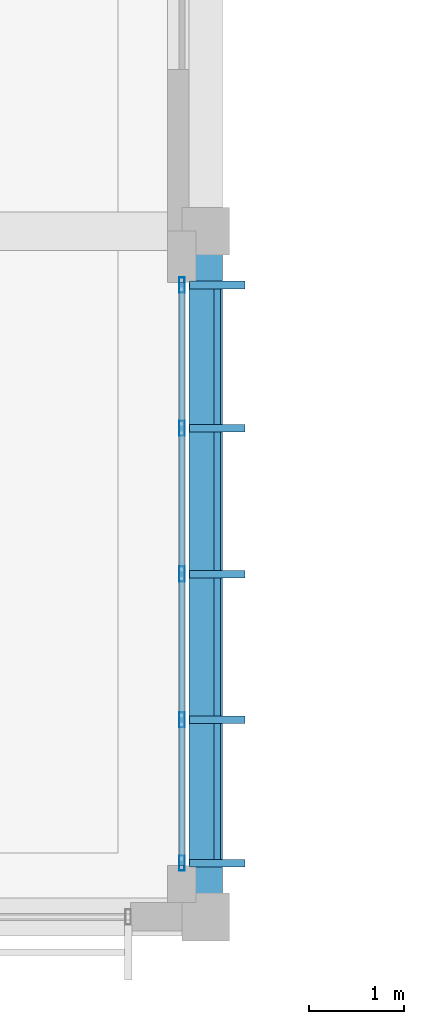
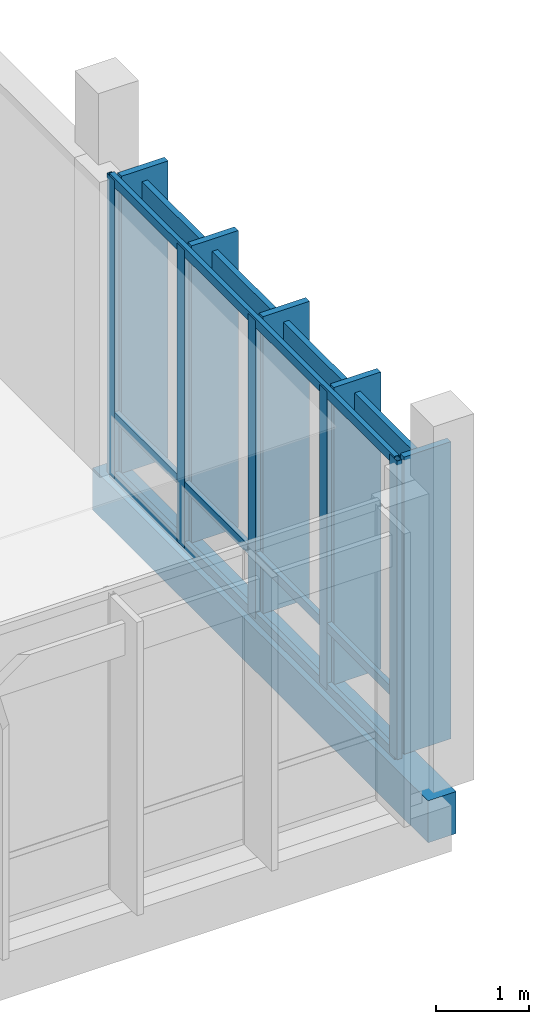
# One storey, part 24 of 177: 14 members, 1 beam, 1 element without a shape of its own.
"""IFC4 building model written with IfcOpenShell, lengths in metres."""

from ifc_helpers import new_model, si_unit, direction, frame, origin, origin_2d, place, context, subcontext, project, spatial, rectangle, hollow_rectangle, extrude, material, material_profile, profile_set, type_object, element, aggregate, save


model = new_model("IFC4")

# Units and contexts
model_context = context("Model", 3, precision=1e-05, world=origin(), true_north=direction((0.0, 1.0)))
body_context = subcontext(model_context, "Body", "Model", "MODEL_VIEW")
ifc_project = project(units=[si_unit("LENGTHUNIT", "METRE"), si_unit("AREAUNIT", "SQUARE_METRE"), si_unit("VOLUMEUNIT", "CUBIC_METRE"), si_unit("PLANEANGLEUNIT", "RADIAN"), si_unit("MASSUNIT", "GRAM", prefix="KILO")], contexts=[model_context])

# Site, building, storey
site_placement = place(None, origin())
site = spatial("IfcSite", under=ifc_project, at=site_placement, CompositionType="ELEMENT")
building_placement = place(site_placement, origin())
building = spatial("IfcBuilding", under=site, at=building_placement, Name="Chiffa Square Polytechnic", CompositionType="ELEMENT")
storey_placement = place(building_placement, frame((0.0, 0.0, 4.800048828125)))
storey = spatial("IfcBuildingStorey", under=building, at=storey_placement, Name="L01", CompositionType="ELEMENT", Elevation=4.800048828125)

# Beam
ifc_material_1 = material(Name="Concrete C35/45", Category="concrete")
ifc_material_profile_1 = material_profile(ifc_material_1, rectangle(XDim=0.35009765625, YDim=0.550048828125, at=origin_2d()), Name="RC 350x550")
ifc_profile_set_1 = profile_set([ifc_material_profile_1], Name="Concrete C35/45")
beam_type = type_object("IfcBeamType", Name="BM-RC-350X550", PredefinedType="BEAM", material=ifc_profile_set_1)
beam_placement = place(storey_placement, frame((48.0, 0.0, -0.554931640625), z_axis=(0.0, 1.0, 0.0), x_axis=(-1.0, 0.0, 0.0)))
element("IfcBeam", 1, at=beam_placement, inside=storey, type_object=beam_type, Name="Primary floor girder BM-V3-L01-Y-0480-0000", PredefinedType="BEAM", context=body_context, shape_type="SweptSolid", body=[
    extrude(rectangle(XDim=0.35009765625, YDim=0.550048828125, at=origin_2d()), origin(), (0.0, 0.0, 1.0), 7.199951171875),
])

# Curtain wall, members
ifc_material_2 = material(Name="Aluminium EN AW-6060 T66 and glulam shading", Category="wood")
curtain_wall_type = type_object("IfcCurtainWallType", Name="CW-VERT-360X380", PredefinedType="USERDEFINED", material=ifc_material_2)
curtain_wall_placement = place(storey_placement, origin())
curtain_wall = element("IfcCurtainWall", 2, at=curtain_wall_placement, inside=storey, type_object=curtain_wall_type, Name="Curtain wall CW-V3-L01-157", ObjectType="CURTAIN WALL", PredefinedType="USERDEFINED")
ifc_material_3 = material(Name="Aluminium EN AW-6060 T66", Category="aluminium")
ifc_material_profile_2 = material_profile(ifc_material_3, hollow_rectangle(XDim=0.06005859375, YDim=0.159912109375, WallThickness=0.00390625, at=origin_2d()), Name="ALU 60x160x4")
ifc_profile_set_2 = profile_set([ifc_material_profile_2], Name="Aluminium EN AW-6060 T66")
member_type_1 = type_object("IfcMemberType", Name="CWM-ALU-65X150", PredefinedType="MULLION", material=ifc_profile_set_2)
member_1_placement = place(storey_placement, frame((47.75, 0.56494140625, 0.0), z_axis=(0.0, 0.0, 1.0), x_axis=(1.0, 0.0, 0.0)))
member_1 = element("IfcMember", 3, at=member_1_placement, type_object=member_type_1, Name="Curtain wall mullion CW-V3-L01-157-M00", PredefinedType="MULLION", context=body_context, shape_type="SweptSolid", body=[
    extrude(hollow_rectangle(XDim=0.06005859375, YDim=0.159912109375, WallThickness=0.00390625, at=origin_2d()), origin(), (0.0, 0.0, 1.0), 3.9150390625),
])
member_2_placement = place(storey_placement, frame((47.75, 2.070068359375, 0.0), z_axis=(0.0, 0.0, 1.0), x_axis=(1.0, 0.0, 0.0)))
member_2 = element("IfcMember", 4, at=member_2_placement, type_object=member_type_1, Name="Curtain wall mullion CW-V3-L01-157-M01", PredefinedType="MULLION", context=body_context, shape_type="SweptSolid", body=[
    extrude(hollow_rectangle(XDim=0.06005859375, YDim=0.159912109375, WallThickness=0.00390625, at=origin_2d()), origin(), (0.0, 0.0, 1.0), 3.9150390625),
])
member_3_placement = place(storey_placement, frame((47.75, 3.60009765625, 0.0), z_axis=(0.0, 0.0, 1.0), x_axis=(1.0, 0.0, 0.0)))
member_3 = element("IfcMember", 5, at=member_3_placement, type_object=member_type_1, Name="Curtain wall mullion CW-V3-L01-157-M02", PredefinedType="MULLION", context=body_context, shape_type="SweptSolid", body=[
    extrude(hollow_rectangle(XDim=0.06005859375, YDim=0.159912109375, WallThickness=0.00390625, at=origin_2d()), origin(), (0.0, 0.0, 1.0), 3.9150390625),
])
member_4_placement = place(storey_placement, frame((47.75, 5.1298828125, 0.0), z_axis=(0.0, 0.0, 1.0), x_axis=(1.0, 0.0, 0.0)))
member_4 = element("IfcMember", 6, at=member_4_placement, type_object=member_type_1, Name="Curtain wall mullion CW-V3-L01-157-M03", PredefinedType="MULLION", context=body_context, shape_type="SweptSolid", body=[
    extrude(hollow_rectangle(XDim=0.06005859375, YDim=0.159912109375, WallThickness=0.00390625, at=origin_2d()), origin(), (0.0, 0.0, 1.0), 3.9150390625),
])
member_5_placement = place(storey_placement, frame((47.75, 6.635009765625, 0.0), z_axis=(0.0, 0.0, 1.0), x_axis=(1.0, 0.0, 0.0)))
member_5 = element("IfcMember", 7, at=member_5_placement, type_object=member_type_1, Name="Curtain wall mullion CW-V3-L01-157-M04", PredefinedType="MULLION", context=body_context, shape_type="SweptSolid", body=[
    extrude(hollow_rectangle(XDim=0.06005859375, YDim=0.159912109375, WallThickness=0.00390625, at=origin_2d()), origin(), (0.0, 0.0, 1.0), 3.9150390625),
])
ifc_material_4 = material(Name="Glulam GL28h", Category="wood")
ifc_material_profile_3 = material_profile(ifc_material_4, rectangle(XDim=0.080078125, YDim=0.580078125, at=origin_2d()), Name="GL28h 80x580")
ifc_profile_set_3 = profile_set([ifc_material_profile_3], Name="Glulam GL28h")
member_type_2 = type_object("IfcMemberType", Name="CWM-GL-80X580", PredefinedType="MULLION", material=ifc_profile_set_3)
member_6_placement = place(storey_placement, frame((48.1220703125, 0.56494140625, 0.010009765625), z_axis=(0.0, 0.0, 1.0), x_axis=(0.0, 1.0, 0.0)))
member_6 = element("IfcMember", 8, at=member_6_placement, type_object=member_type_2, Name="Exterior glulam solar fin CW-V3-L01-157-FN00", PredefinedType="MULLION", context=body_context, shape_type="SweptSolid", body=[
    extrude(rectangle(XDim=0.080078125, YDim=0.580078125, at=origin_2d()), origin(), (0.0, 0.0, 1.0), 3.89501953125),
])
member_7_placement = place(storey_placement, frame((48.1220703125, 2.070068359375, 0.010009765625), z_axis=(0.0, 0.0, 1.0), x_axis=(0.0, 1.0, 0.0)))
member_7 = element("IfcMember", 9, at=member_7_placement, type_object=member_type_2, Name="Exterior glulam solar fin CW-V3-L01-157-FN01", PredefinedType="MULLION", context=body_context, shape_type="SweptSolid", body=[
    extrude(rectangle(XDim=0.080078125, YDim=0.580078125, at=origin_2d()), origin(), (0.0, 0.0, 1.0), 3.89501953125),
])
member_8_placement = place(storey_placement, frame((48.1220703125, 3.60009765625, 0.010009765625), z_axis=(0.0, 0.0, 1.0), x_axis=(0.0, 1.0, 0.0)))
member_8 = element("IfcMember", 10, at=member_8_placement, type_object=member_type_2, Name="Exterior glulam solar fin CW-V3-L01-157-FN02", PredefinedType="MULLION", context=body_context, shape_type="SweptSolid", body=[
    extrude(rectangle(XDim=0.080078125, YDim=0.580078125, at=origin_2d()), origin(), (0.0, 0.0, 1.0), 3.89501953125),
])
member_9_placement = place(storey_placement, frame((48.1220703125, 5.1298828125, 0.010009765625), z_axis=(0.0, 0.0, 1.0), x_axis=(0.0, 1.0, 0.0)))
member_9 = element("IfcMember", 11, at=member_9_placement, type_object=member_type_2, Name="Exterior glulam solar fin CW-V3-L01-157-FN03", PredefinedType="MULLION", context=body_context, shape_type="SweptSolid", body=[
    extrude(rectangle(XDim=0.080078125, YDim=0.580078125, at=origin_2d()), origin(), (0.0, 0.0, 1.0), 3.89501953125),
])
member_10_placement = place(storey_placement, frame((48.1220703125, 6.635009765625, 0.010009765625), z_axis=(0.0, 0.0, 1.0), x_axis=(0.0, 1.0, 0.0)))
member_10 = element("IfcMember", 12, at=member_10_placement, type_object=member_type_2, Name="Exterior glulam solar fin CW-V3-L01-157-FN04", PredefinedType="MULLION", context=body_context, shape_type="SweptSolid", body=[
    extrude(rectangle(XDim=0.080078125, YDim=0.580078125, at=origin_2d()), origin(), (0.0, 0.0, 1.0), 3.89501953125),
])
ifc_material_profile_4 = material_profile(ifc_material_3, hollow_rectangle(XDim=0.06005859375, YDim=0.1201171875, WallThickness=0.00390625, at=origin_2d()), Name="ALU 60x120x4")
ifc_profile_set_4 = profile_set([ifc_material_profile_4], Name="Aluminium EN AW-6060 T66")
member_type_3 = type_object("IfcMemberType", Name="CWT-ALU-65X120", PredefinedType="USERDEFINED", material=ifc_profile_set_4)
member_11_placement = place(storey_placement, frame((47.75, 0.5380859375, 0.030029296875), z_axis=(0.0, 1.0, 0.0), x_axis=(-1.0, 0.0, 0.0)))
member_11 = element("IfcMember", 13, at=member_11_placement, type_object=member_type_3, Name="Curtain wall transom CW-V3-L01-157-T01", ObjectType="TRANSOM", PredefinedType="USERDEFINED", context=body_context, shape_type="SweptSolid", body=[
    extrude(hollow_rectangle(XDim=0.06005859375, YDim=0.1201171875, WallThickness=0.00390625, at=origin_2d()), origin(), (0.0, 0.0, 1.0), 6.1240234375),
])
member_12_placement = place(storey_placement, frame((47.75, 0.5380859375, 0.820068359375), z_axis=(0.0, 1.0, 0.0), x_axis=(-1.0, 0.0, 0.0)))
member_12 = element("IfcMember", 14, at=member_12_placement, type_object=member_type_3, Name="Curtain wall transom CW-V3-L01-157-T02", ObjectType="TRANSOM", PredefinedType="USERDEFINED", context=body_context, shape_type="SweptSolid", body=[
    extrude(hollow_rectangle(XDim=0.06005859375, YDim=0.1201171875, WallThickness=0.00390625, at=origin_2d()), origin(), (0.0, 0.0, 1.0), 6.1240234375),
])
member_13_placement = place(storey_placement, frame((47.75, 0.5380859375, 3.885009765625), z_axis=(0.0, 1.0, 0.0), x_axis=(-1.0, 0.0, 0.0)))
member_13 = element("IfcMember", 15, at=member_13_placement, type_object=member_type_3, Name="Curtain wall transom CW-V3-L01-157-T03", ObjectType="TRANSOM", PredefinedType="USERDEFINED", context=body_context, shape_type="SweptSolid", body=[
    extrude(hollow_rectangle(XDim=0.06005859375, YDim=0.1201171875, WallThickness=0.00390625, at=origin_2d()), origin(), (0.0, 0.0, 1.0), 6.1240234375),
])
ifc_material_profile_5 = material_profile(ifc_material_4, rectangle(XDim=0.070068359375, YDim=0.419921875, at=origin_2d()), Name="GL28h 70x420")
ifc_profile_set_5 = profile_set([ifc_material_profile_5], Name="Glulam GL28h")
member_type_4 = type_object("IfcMemberType", Name="CWT-GL-70X420", PredefinedType="USERDEFINED", material=ifc_profile_set_5)
member_14_placement = place(storey_placement, frame((48.1220703125, 0.56494140625, 3.534912109375), z_axis=(0.0, 1.0, 0.0), x_axis=(-1.0, 0.0, 0.0)))
member_14 = element("IfcMember", 16, at=member_14_placement, type_object=member_type_4, Name="Exterior glulam brise-soleil CW-V3-L01-157-BS01", ObjectType="TRANSOM", PredefinedType="USERDEFINED", context=body_context, shape_type="SweptSolid", body=[
    extrude(rectangle(XDim=0.070068359375, YDim=0.419921875, at=origin_2d()), origin(), (0.0, 0.0, 1.0), 6.070068359375),
])
aggregate(curtain_wall, [member_1, member_6, member_2, member_7, member_3, member_8, member_4, member_9, member_5, member_10, member_11, member_12, member_13, member_14])

save(model, "model.ifc")
